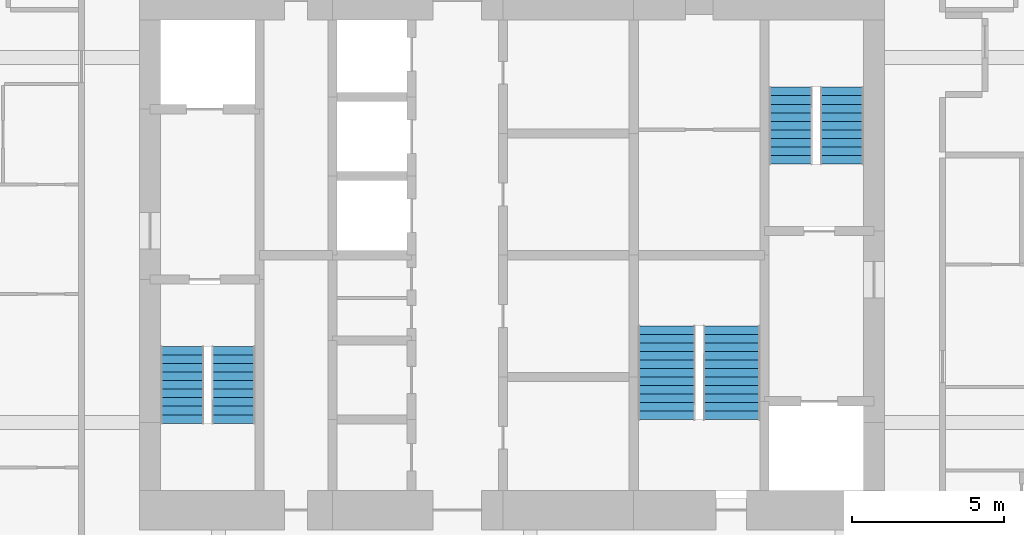
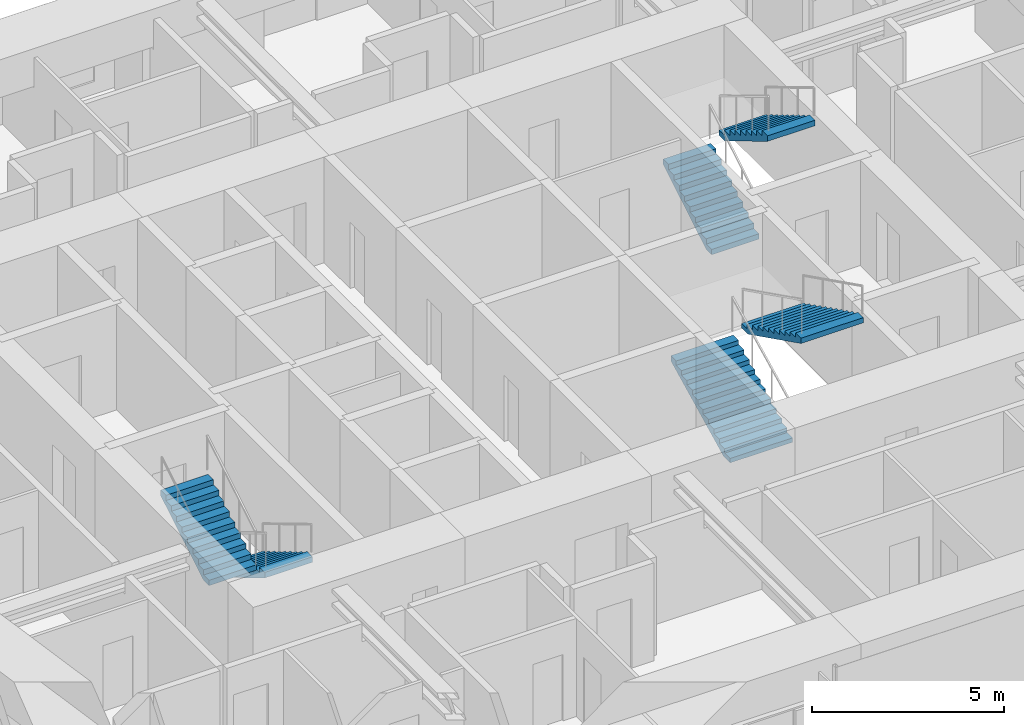
# One storey, part 22 of 23: 6 stair flights, 3 elements without a shape of their own.
"""IFC4 building model written with IfcOpenShell, lengths in metres."""

from ifc_helpers import new_model, si_unit, direction, frame, origin, place, context, subcontext, project, spatial, polyline, outline, extrude, material, type_object, element, aggregate, save


model = new_model("IFC4")

# Units and contexts
model_context = context("Model", 3, precision=1e-05, world=origin(), true_north=direction((0.0, 1.0)))
body_context = subcontext(model_context, "Body", "Model", "MODEL_VIEW")
ifc_project = project(units=[si_unit("LENGTHUNIT", "METRE"), si_unit("AREAUNIT", "SQUARE_METRE"), si_unit("VOLUMEUNIT", "CUBIC_METRE"), si_unit("PLANEANGLEUNIT", "RADIAN"), si_unit("MASSUNIT", "GRAM", prefix="KILO")], contexts=[model_context])

# Site, building, storey
site_placement = place(None, origin())
site = spatial("IfcSite", under=ifc_project, at=site_placement, CompositionType="ELEMENT")
building_placement = place(site_placement, origin())
building = spatial("IfcBuilding", under=site, at=building_placement, Name="Jalousie Tower", CompositionType="ELEMENT")
storey_placement = place(building_placement, frame((0.0, 0.0, 187.85009765625)))
storey = spatial("IfcBuildingStorey", under=building, at=storey_placement, Name="L51", CompositionType="ELEMENT", Elevation=187.85009765625)

# Stair, stair flights
ifc_material_1 = material(Name="Concrete f'c 40 MPa", Category="concrete")
stair_type = type_object("IfcStairType", Name="EXIT STAIR", PredefinedType="HALF_TURN_STAIR", material=ifc_material_1)
stair_1_placement = place(storey_placement, origin())
stair_1 = element("IfcStair", 1, at=stair_1_placement, inside=storey, type_object=stair_type, Name="Exit stair A L51", PredefinedType="HALF_TURN_STAIR")
ifc_material_2 = material(Name="Concrete f'c 40 MPa", Category="concrete")
stair_flight_type = type_object("IfcStairFlightType", Name="STAIR FLIGHT", PredefinedType="STRAIGHT", material=ifc_material_2)
stair_flight_1_placement = place(storey_placement, frame((22.737548828125, 15.49755859375, 0.0), z_axis=(0.0, 0.0, 1.0), x_axis=(0.0, -1.0, 0.0)))
stair_flight_1 = element("IfcStairFlight", 2, at=stair_flight_1_placement, type_object=stair_flight_type, Name="ST-A flight 1", NumberOfRisers=10, NumberOfTreads=9, PredefinedType="STRAIGHT", RiserHeight=0.1675, TreadLength=0.28, context=body_context, shape_type="SweptSolid", body=[
    extrude(outline(polyline([(0.0, 0.0), (0.0, 0.16748046875), (0.280029296875, 0.16748046875), (0.280029296875, 0.3349609375), (0.56005859375, 0.3349609375), (0.56005859375, 0.50244140625), (0.840087890625, 0.50244140625), (0.840087890625, 0.669921875), (1.1201171875, 0.669921875), (1.1201171875, 0.83740234375), (1.39990234375, 0.83740234375), (1.39990234375, 1.0048828125), (1.679931640625, 1.0048828125), (1.679931640625, 1.172607421875), (1.9599609375, 1.172607421875), (1.9599609375, 1.340087890625), (2.239990234375, 1.340087890625), (2.239990234375, 1.507568359375), (2.52001953125, 1.507568359375), (2.52001953125, 1.675048828125), (2.52001953125, 1.332763671875), (0.2919921875, 0.0), (0.0, 0.0)])), frame((0.0, 0.71240234375, 0.0), z_axis=(0.0, -1.0, 0.0), x_axis=(1.0, 0.0, 0.0)), (0.0, 0.0, 1.0), 1.425048828125),
])
stair_flight_2_placement = place(storey_placement, frame((21.0625, 12.9775390625, 1.6748046875), z_axis=(0.0, 0.0, 1.0), x_axis=(0.0, 1.0, 0.0)))
stair_flight_2 = element("IfcStairFlight", 3, at=stair_flight_2_placement, type_object=stair_flight_type, Name="ST-A flight 2", NumberOfRisers=10, NumberOfTreads=9, PredefinedType="STRAIGHT", RiserHeight=0.1675, TreadLength=0.28, context=body_context, shape_type="SweptSolid", body=[
    extrude(outline(polyline([(0.0, 0.0), (0.0, 0.16748046875), (0.280029296875, 0.16748046875), (0.280029296875, 0.3349609375), (0.56005859375, 0.3349609375), (0.56005859375, 0.50244140625), (0.840087890625, 0.50244140625), (0.840087890625, 0.669921875), (1.1201171875, 0.669921875), (1.1201171875, 0.83740234375), (1.39990234375, 0.83740234375), (1.39990234375, 1.0048828125), (1.679931640625, 1.0048828125), (1.679931640625, 1.172607421875), (1.9599609375, 1.172607421875), (1.9599609375, 1.340087890625), (2.239990234375, 1.340087890625), (2.239990234375, 1.507568359375), (2.52001953125, 1.507568359375), (2.52001953125, 1.675048828125), (2.52001953125, 1.332763671875), (0.2919921875, 0.0), (0.0, 0.0)])), frame((0.0, 0.71240234375, 0.0), z_axis=(0.0, -1.0, 0.0), x_axis=(1.0, 0.0, 0.0)), (0.0, 0.0, 1.0), 1.425048828125),
])
aggregate(stair_1, [stair_flight_1, stair_flight_2])

stair_2_placement = place(storey_placement, origin())
stair_2 = element("IfcStair", 4, at=stair_2_placement, inside=storey, type_object=stair_type, Name="Exit stair B L51", PredefinedType="HALF_TURN_STAIR")
stair_flight_3_placement = place(storey_placement, frame((41.0625, 21.50244140625, 0.0), z_axis=(0.0, 0.0, 1.0), x_axis=(0.0, 1.0, 0.0)))
stair_flight_3 = element("IfcStairFlight", 5, at=stair_flight_3_placement, type_object=stair_flight_type, Name="ST-B flight 1", NumberOfRisers=10, NumberOfTreads=9, PredefinedType="STRAIGHT", RiserHeight=0.1675, TreadLength=0.28, context=body_context, shape_type="SweptSolid", body=[
    extrude(outline(polyline([(0.0, 0.0), (0.0, 0.16748046875), (0.280029296875, 0.16748046875), (0.280029296875, 0.3349609375), (0.56005859375, 0.3349609375), (0.56005859375, 0.50244140625), (0.840087890625, 0.50244140625), (0.840087890625, 0.669921875), (1.1201171875, 0.669921875), (1.1201171875, 0.83740234375), (1.39990234375, 0.83740234375), (1.39990234375, 1.0048828125), (1.679931640625, 1.0048828125), (1.679931640625, 1.172607421875), (1.9599609375, 1.172607421875), (1.9599609375, 1.340087890625), (2.239990234375, 1.340087890625), (2.239990234375, 1.507568359375), (2.52001953125, 1.507568359375), (2.52001953125, 1.675048828125), (2.52001953125, 1.332763671875), (0.2919921875, 0.0), (0.0, 0.0)])), frame((0.0, 0.71240234375, 0.0), z_axis=(0.0, -1.0, 0.0), x_axis=(1.0, 0.0, 0.0)), (0.0, 0.0, 1.0), 1.425048828125),
])
stair_flight_4_placement = place(storey_placement, frame((42.737548828125, 24.0224609375, 1.6748046875), z_axis=(0.0, 0.0, 1.0), x_axis=(0.0, -1.0, 0.0)))
stair_flight_4 = element("IfcStairFlight", 6, at=stair_flight_4_placement, type_object=stair_flight_type, Name="ST-B flight 2", NumberOfRisers=10, NumberOfTreads=9, PredefinedType="STRAIGHT", RiserHeight=0.1675, TreadLength=0.28, context=body_context, shape_type="SweptSolid", body=[
    extrude(outline(polyline([(0.0, 0.0), (0.0, 0.16748046875), (0.280029296875, 0.16748046875), (0.280029296875, 0.3349609375), (0.56005859375, 0.3349609375), (0.56005859375, 0.50244140625), (0.840087890625, 0.50244140625), (0.840087890625, 0.669921875), (1.1201171875, 0.669921875), (1.1201171875, 0.83740234375), (1.39990234375, 0.83740234375), (1.39990234375, 1.0048828125), (1.679931640625, 1.0048828125), (1.679931640625, 1.172607421875), (1.9599609375, 1.172607421875), (1.9599609375, 1.340087890625), (2.239990234375, 1.340087890625), (2.239990234375, 1.507568359375), (2.52001953125, 1.507568359375), (2.52001953125, 1.675048828125), (2.52001953125, 1.332763671875), (0.2919921875, 0.0), (0.0, 0.0)])), frame((0.0, 0.71240234375, 0.0), z_axis=(0.0, -1.0, 0.0), x_axis=(1.0, 0.0, 0.0)), (0.0, 0.0, 1.0), 1.425048828125),
])
aggregate(stair_2, [stair_flight_3, stair_flight_4])

stair_3_placement = place(storey_placement, origin())
stair_3 = element("IfcStair", 7, at=stair_3_placement, inside=storey, type_object=stair_type, Name="Exit stair C L51", PredefinedType="HALF_TURN_STAIR")
stair_flight_5_placement = place(storey_placement, frame((36.987548828125, 13.097412109375, 0.0), z_axis=(0.0, 0.0, 1.0), x_axis=(0.0, 1.0, 0.0)))
stair_flight_5 = element("IfcStairFlight", 8, at=stair_flight_5_placement, type_object=stair_flight_type, Name="ST-C flight 1", NumberOfRisers=12, NumberOfTreads=11, PredefinedType="STRAIGHT", RiserHeight=0.139583333, TreadLength=0.28, context=body_context, shape_type="SweptSolid", body=[
    extrude(outline(polyline([(0.0, 0.0), (0.0, 0.1396484375), (0.280029296875, 0.1396484375), (0.280029296875, 0.279052734375), (0.56005859375, 0.279052734375), (0.56005859375, 0.418701171875), (0.840087890625, 0.418701171875), (0.840087890625, 0.558349609375), (1.1201171875, 0.558349609375), (1.1201171875, 0.697998046875), (1.39990234375, 0.697998046875), (1.39990234375, 0.83740234375), (1.679931640625, 0.83740234375), (1.679931640625, 0.97705078125), (1.9599609375, 0.97705078125), (1.9599609375, 1.11669921875), (2.239990234375, 1.11669921875), (2.239990234375, 1.25634765625), (2.52001953125, 1.25634765625), (2.52001953125, 1.395751953125), (2.800048828125, 1.395751953125), (2.800048828125, 1.535400390625), (3.080078125, 1.535400390625), (3.080078125, 1.675048828125), (3.080078125, 1.367919921875), (0.3359375, 0.0), (0.0, 0.0)])), frame((0.0, 0.9375, 0.0), z_axis=(0.0, -1.0, 0.0), x_axis=(1.0, 0.0, 0.0)), (0.0, 0.0, 1.0), 1.875),
])
stair_flight_6_placement = place(storey_placement, frame((39.112548828125, 16.177490234375, 1.6748046875), z_axis=(0.0, 0.0, 1.0), x_axis=(0.0, -1.0, 0.0)))
stair_flight_6 = element("IfcStairFlight", 9, at=stair_flight_6_placement, type_object=stair_flight_type, Name="ST-C flight 2", NumberOfRisers=12, NumberOfTreads=11, PredefinedType="STRAIGHT", RiserHeight=0.139583333, TreadLength=0.28, context=body_context, shape_type="SweptSolid", body=[
    extrude(outline(polyline([(0.0, 0.0), (0.0, 0.1396484375), (0.280029296875, 0.1396484375), (0.280029296875, 0.279052734375), (0.56005859375, 0.279052734375), (0.56005859375, 0.418701171875), (0.840087890625, 0.418701171875), (0.840087890625, 0.558349609375), (1.1201171875, 0.558349609375), (1.1201171875, 0.697998046875), (1.39990234375, 0.697998046875), (1.39990234375, 0.83740234375), (1.679931640625, 0.83740234375), (1.679931640625, 0.97705078125), (1.9599609375, 0.97705078125), (1.9599609375, 1.11669921875), (2.239990234375, 1.11669921875), (2.239990234375, 1.25634765625), (2.52001953125, 1.25634765625), (2.52001953125, 1.395751953125), (2.800048828125, 1.395751953125), (2.800048828125, 1.535400390625), (3.080078125, 1.535400390625), (3.080078125, 1.675048828125), (3.080078125, 1.367919921875), (0.3359375, 0.0), (0.0, 0.0)])), frame((0.0, 0.9375, 0.0), z_axis=(0.0, -1.0, 0.0), x_axis=(1.0, 0.0, 0.0)), (0.0, 0.0, 1.0), 1.875),
])
aggregate(stair_3, [stair_flight_5, stair_flight_6])

save(model, "model.ifc")
